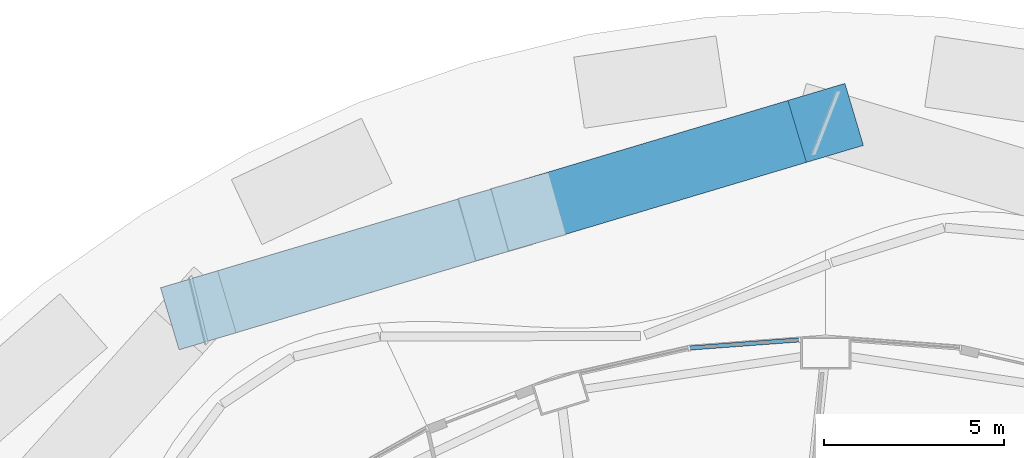
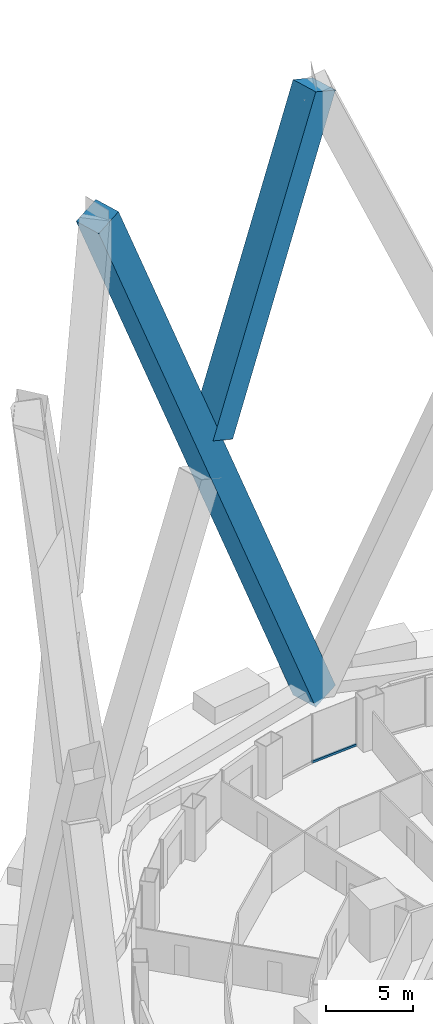
# One storey, part 26 of 42: 3 members, 1 element without a shape of its own.
"""IFC4 building model written with IfcOpenShell, lengths in metres."""

from ifc_helpers import new_model, si_unit, direction, frame, origin, origin_2d, place, context, subcontext, project, spatial, rectangle, extrude, material, layer, layer_set, material_profile, profile_set, type_object, element, aggregate, save


model = new_model("IFC4")

# Units and contexts
model_context = context("Model", 3, precision=1e-05, world=origin(), true_north=direction((0.0, 1.0)))
body_context = subcontext(model_context, "Body", "Model", "MODEL_VIEW")
ifc_project = project(units=[si_unit("LENGTHUNIT", "METRE"), si_unit("AREAUNIT", "SQUARE_METRE"), si_unit("VOLUMEUNIT", "CUBIC_METRE"), si_unit("PLANEANGLEUNIT", "RADIAN"), si_unit("MASSUNIT", "GRAM", prefix="KILO")], contexts=[model_context])

# Site, building, storey
site_placement = place(None, origin())
site = spatial("IfcSite", under=ifc_project, at=site_placement, CompositionType="ELEMENT")
building_placement = place(site_placement, origin())
building = spatial("IfcBuilding", under=site, at=building_placement, Name="Nagisa Residences", CompositionType="ELEMENT")
storey_placement = place(building_placement, frame((0.0, 0.0, 27.0)))
storey = spatial("IfcBuildingStorey", under=building, at=storey_placement, Name="L05", CompositionType="ELEMENT", Elevation=27.0)

# Curtain wall, member
ifc_material_1 = material(Name="Concrete-coloured aluminium curtain wall system", Category="concrete")
ifc_layer = layer(ifc_material_1, 0.159912109375)
ifc_layer_set = layer_set([ifc_layer], Name="CW1 CURTAIN WALL")
curtain_wall_type = type_object("IfcCurtainWallType", Name="CW1 CURTAIN WALL", PredefinedType="NOTDEFINED", material=ifc_layer_set)
curtain_wall_placement = place(storey_placement, origin())
curtain_wall = element("IfcCurtainWall", 1, at=curtain_wall_placement, inside=storey, type_object=curtain_wall_type, Name="cw:CW1:L05:12", PredefinedType="NOTDEFINED")
ifc_material_2 = material(Name="Concrete-coloured aluminium", Category="concrete")
ifc_material_profile_1 = material_profile(ifc_material_2, rectangle(XDim=0.1201171875, YDim=0.14990234375, at=origin_2d()), Name="CW1 TRANSOM 120x150")
ifc_profile_set_1 = profile_set([ifc_material_profile_1], Name="Concrete-coloured aluminium")
member_type_1 = type_object("IfcMemberType", Name="CW1 TRANSOM 120x150", PredefinedType="USERDEFINED", material=ifc_profile_set_1)
member_1_placement = place(storey_placement, frame((2.907958984375, 32.8681640625, 0.074951171875), z_axis=(-0.997230834878, -0.074368420505, 0.0), x_axis=(0.074368420505, -0.997230834878, 0.0)))
member_1 = element("IfcMember", 2, at=member_1_placement, type_object=member_type_1, Name="CW1 transom", ObjectType="TRANSOM", PredefinedType="USERDEFINED", context=body_context, shape_type="SweptSolid", body=[
    extrude(rectangle(XDim=0.1201171875, YDim=0.14990234375, at=origin_2d()), origin(), (0.0, 0.0, 1.0), 3.095703125),
])
aggregate(curtain_wall, [member_1])

# Members
ifc_material_3 = material(Name="Concrete C80", Category="concrete")
ifc_material_profile_2 = material_profile(ifc_material_3, rectangle(XDim=1.800048828125, YDim=1.800048828125, at=origin_2d()), Name="C80 1800x1800")
ifc_profile_set_2 = profile_set([ifc_material_profile_2], Name="Concrete C80")
member_type_2 = type_object("IfcMemberType", Name="Cage diagonal 1 C80 1800x1800", PredefinedType="BRACE", material=ifc_profile_set_2)
member_2_placement = place(storey_placement, frame((3.60009765625, 38.89990234375, 0.0), z_axis=(-0.376652851878, -0.112485754326, 0.91949963798), x_axis=(0.28615714292, -0.958182701553, 0.0)))
element("IfcMember", 3, at=member_2_placement, inside=storey, type_object=member_type_2, Name="mem:L05:cg1d107", PredefinedType="BRACE", context=body_context, shape_type="SweptSolid", body=[
    extrude(rectangle(XDim=1.800048828125, YDim=1.800048828125, at=origin_2d()), origin(), (0.0, 0.0, 1.0), 46.32958984375),
])
member_3_placement = place(storey_placement, frame((-4.66357421875, 36.431884765625, 22.42626953125), z_axis=(0.376649014906, 0.112489508736, 0.919500750405), x_axis=(-0.286168588266, 0.958179283375, 0.0)))
element("IfcMember", 4, at=member_3_placement, inside=storey, type_object=member_type_2, Name="mem:L05:cg1d108b", PredefinedType="BRACE", context=body_context, shape_type="SweptSolid", body=[
    extrude(rectangle(XDim=1.800048828125, YDim=1.800048828125, at=origin_2d()), origin(), (0.0, 0.0, 1.0), 21.93994140625),
])

save(model, "model.ifc")
